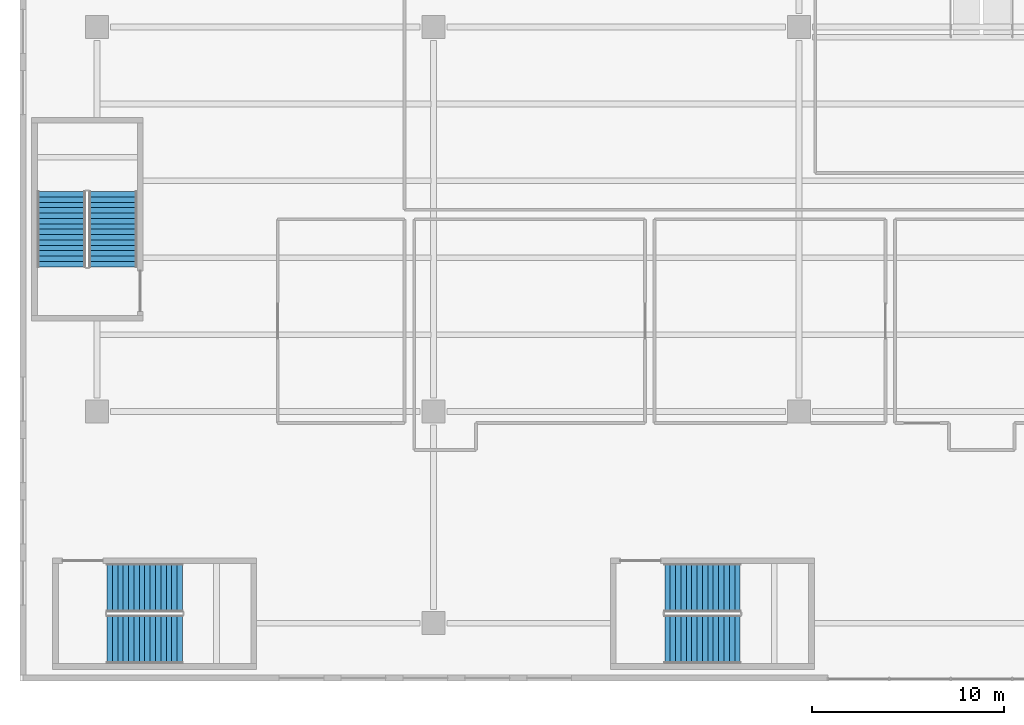
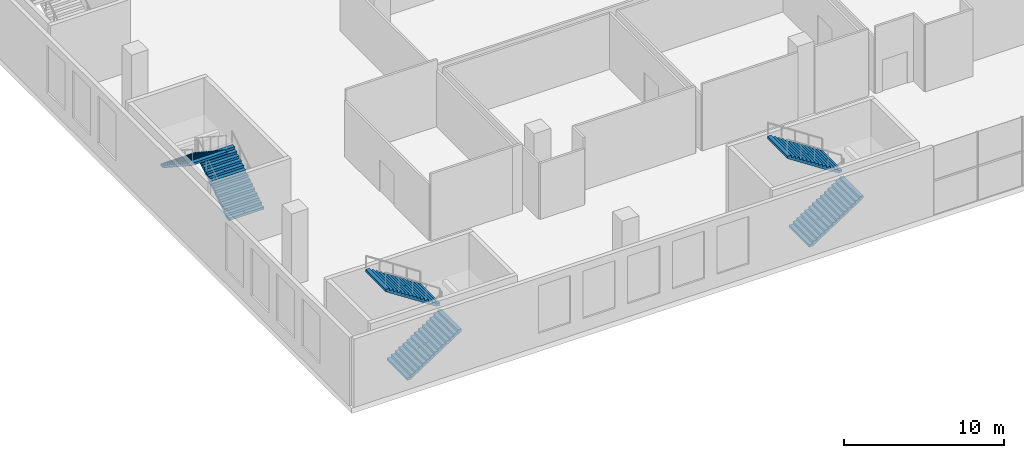
# One storey, part 13 of 26: 6 stair flights, 3 elements without a shape of their own.
"""IFC4 building model written with IfcOpenShell, lengths in metres."""

from ifc_helpers import new_model, si_unit, direction, frame, origin, place, context, subcontext, project, spatial, polyline, outline, extrude, material, type_object, element, aggregate, save


model = new_model("IFC4")

# Units and contexts
model_context = context("Model", 3, precision=1e-05, world=origin(), true_north=direction((0.0, 1.0)))
body_context = subcontext(model_context, "Body", "Model", "MODEL_VIEW")
ifc_project = project(units=[si_unit("LENGTHUNIT", "METRE"), si_unit("AREAUNIT", "SQUARE_METRE"), si_unit("VOLUMEUNIT", "CUBIC_METRE"), si_unit("PLANEANGLEUNIT", "RADIAN"), si_unit("MASSUNIT", "GRAM", prefix="KILO")], contexts=[model_context])

# Site, building, storey
site_placement = place(None, origin())
site = spatial("IfcSite", under=ifc_project, at=site_placement, CompositionType="ELEMENT")
building_placement = place(site_placement, origin())
building = spatial("IfcBuilding", under=site, at=building_placement, Name="Tel Ilan Convention Tower", CompositionType="ELEMENT")
storey_placement = place(building_placement, frame((0.0, 0.0, 32.0)))
storey = spatial("IfcBuildingStorey", under=building, at=storey_placement, Name="L04", CompositionType="ELEMENT", Elevation=32.0)

# Stair, stair flights
ifc_material_1 = material(Name="Concrete C40/50", Category="concrete")
stair_type = type_object("IfcStairType", Name="Pressurised Exit Stair 30 risers 183 mm", PredefinedType="HALF_TURN_STAIR", material=ifc_material_1)
stair_1_placement = place(storey_placement, origin())
stair_1 = element("IfcStair", 1, at=stair_1_placement, inside=storey, type_object=stair_type, Name="L04 Podium Exit Stair P1", PredefinedType="HALF_TURN_STAIR")
ifc_material_2 = material(Name="Precast Concrete C40/50", Category="concrete")
stair_flight_type = type_object("IfcStairFlightType", Name="Concrete Stair Flight 2525 mm 30 risers 183 mm", PredefinedType="STRAIGHT", material=ifc_material_2)
stair_flight_1_placement = place(storey_placement, frame((-45.47509765625, -79.83740234375, 0.0), z_axis=(0.0, 0.0, 1.0), x_axis=(1.0, 0.0, 0.0)))
stair_flight_1 = element("IfcStairFlight", 2, at=stair_flight_1_placement, type_object=stair_flight_type, Name="P1 flight 1", NumberOfRisers=15, NumberOfTreads=14, PredefinedType="STRAIGHT", RiserHeight=0.183333333, TreadLength=0.28, context=body_context, shape_type="SweptSolid", body=[
    extrude(outline(polyline([(0.0, 0.0), (0.0, 0.183349609375), (0.280029296875, 0.183349609375), (0.280029296875, 0.36669921875), (0.56005859375, 0.36669921875), (0.56005859375, 0.550048828125), (0.840087890625, 0.550048828125), (0.840087890625, 0.7333984375), (1.1201171875, 0.7333984375), (1.1201171875, 0.916748046875), (1.39990234375, 0.916748046875), (1.39990234375, 1.10009765625), (1.679931640625, 1.10009765625), (1.679931640625, 1.283447265625), (1.9599609375, 1.283447265625), (1.9599609375, 1.466552734375), (2.239990234375, 1.466552734375), (2.239990234375, 1.64990234375), (2.52001953125, 1.64990234375), (2.52001953125, 1.833251953125), (2.800048828125, 1.833251953125), (2.800048828125, 2.0166015625), (3.080078125, 2.0166015625), (3.080078125, 2.199951171875), (3.360107421875, 2.199951171875), (3.360107421875, 2.38330078125), (3.639892578125, 2.38330078125), (3.639892578125, 2.566650390625), (3.919921875, 2.566650390625), (3.919921875, 2.75), (3.919921875, 2.387451171875), (0.273681640625, 0.0), (0.0, 0.0)])), frame((0.0, -0.100341796875, 0.0), z_axis=(0.0, -1.0, 0.0), x_axis=(1.0, 0.0, 0.0)), (0.0, 0.0, 1.0), 1.162109375),
    extrude(outline(polyline([(0.0, 0.0), (0.0, 0.183349609375), (0.280029296875, 0.183349609375), (0.280029296875, 0.36669921875), (0.56005859375, 0.36669921875), (0.56005859375, 0.550048828125), (0.840087890625, 0.550048828125), (0.840087890625, 0.7333984375), (1.1201171875, 0.7333984375), (1.1201171875, 0.916748046875), (1.39990234375, 0.916748046875), (1.39990234375, 1.10009765625), (1.679931640625, 1.10009765625), (1.679931640625, 1.283447265625), (1.9599609375, 1.283447265625), (1.9599609375, 1.466552734375), (2.239990234375, 1.466552734375), (2.239990234375, 1.64990234375), (2.52001953125, 1.64990234375), (2.52001953125, 1.833251953125), (2.800048828125, 1.833251953125), (2.800048828125, 2.0166015625), (3.080078125, 2.0166015625), (3.080078125, 2.199951171875), (3.360107421875, 2.199951171875), (3.360107421875, 2.38330078125), (3.639892578125, 2.38330078125), (3.639892578125, 2.566650390625), (3.919921875, 2.566650390625), (3.919921875, 2.75), (3.919921875, 2.387451171875), (0.273681640625, 0.0), (0.0, 0.0)])), frame((0.0, -0.000244140625, 0.0), z_axis=(0.0, -1.0, 0.0), x_axis=(1.0, 0.0, 0.0)), (0.0, 0.0, 1.0), 0.099609375),
    extrude(outline(polyline([(0.0, 0.0), (0.0, 0.183349609375), (0.280029296875, 0.183349609375), (0.280029296875, 0.36669921875), (0.56005859375, 0.36669921875), (0.56005859375, 0.550048828125), (0.840087890625, 0.550048828125), (0.840087890625, 0.7333984375), (1.1201171875, 0.7333984375), (1.1201171875, 0.916748046875), (1.39990234375, 0.916748046875), (1.39990234375, 1.10009765625), (1.679931640625, 1.10009765625), (1.679931640625, 1.283447265625), (1.9599609375, 1.283447265625), (1.9599609375, 1.466552734375), (2.239990234375, 1.466552734375), (2.239990234375, 1.64990234375), (2.52001953125, 1.64990234375), (2.52001953125, 1.833251953125), (2.800048828125, 1.833251953125), (2.800048828125, 2.0166015625), (3.080078125, 2.0166015625), (3.080078125, 2.199951171875), (3.360107421875, 2.199951171875), (3.360107421875, 2.38330078125), (3.639892578125, 2.38330078125), (3.639892578125, 2.566650390625), (3.919921875, 2.566650390625), (3.919921875, 2.75), (3.919921875, 2.387451171875), (0.273681640625, 0.0), (0.0, 0.0)])), frame((0.0, 0.099853515625, 0.0), z_axis=(0.0, -1.0, 0.0), x_axis=(1.0, 0.0, 0.0)), (0.0, 0.0, 1.0), 0.099609375),
    extrude(outline(polyline([(0.0, 0.0), (0.0, 0.183349609375), (0.280029296875, 0.183349609375), (0.280029296875, 0.36669921875), (0.56005859375, 0.36669921875), (0.56005859375, 0.550048828125), (0.840087890625, 0.550048828125), (0.840087890625, 0.7333984375), (1.1201171875, 0.7333984375), (1.1201171875, 0.916748046875), (1.39990234375, 0.916748046875), (1.39990234375, 1.10009765625), (1.679931640625, 1.10009765625), (1.679931640625, 1.283447265625), (1.9599609375, 1.283447265625), (1.9599609375, 1.466552734375), (2.239990234375, 1.466552734375), (2.239990234375, 1.64990234375), (2.52001953125, 1.64990234375), (2.52001953125, 1.833251953125), (2.800048828125, 1.833251953125), (2.800048828125, 2.0166015625), (3.080078125, 2.0166015625), (3.080078125, 2.199951171875), (3.360107421875, 2.199951171875), (3.360107421875, 2.38330078125), (3.639892578125, 2.38330078125), (3.639892578125, 2.566650390625), (3.919921875, 2.566650390625), (3.919921875, 2.75), (3.919921875, 2.387451171875), (0.273681640625, 0.0), (0.0, 0.0)])), frame((0.0, 1.262451171875, 0.0), z_axis=(0.0, -1.0, 0.0), x_axis=(1.0, 0.0, 0.0)), (0.0, 0.0, 1.0), 1.162109375),
])
stair_flight_2_placement = place(storey_placement, frame((-41.554931640625, -77.16259765625, 2.75), z_axis=(0.0, 0.0, 1.0), x_axis=(-1.0, 0.0, 0.0)))
stair_flight_2 = element("IfcStairFlight", 3, at=stair_flight_2_placement, type_object=stair_flight_type, Name="P1 flight 2", NumberOfRisers=15, NumberOfTreads=14, PredefinedType="STRAIGHT", RiserHeight=0.183333333, TreadLength=0.28, context=body_context, shape_type="SweptSolid", body=[
    extrude(outline(polyline([(0.0, 0.0), (0.0, 0.183349609375), (0.280029296875, 0.183349609375), (0.280029296875, 0.36669921875), (0.56005859375, 0.36669921875), (0.56005859375, 0.550048828125), (0.840087890625, 0.550048828125), (0.840087890625, 0.7333984375), (1.1201171875, 0.7333984375), (1.1201171875, 0.916748046875), (1.39990234375, 0.916748046875), (1.39990234375, 1.10009765625), (1.679931640625, 1.10009765625), (1.679931640625, 1.283447265625), (1.9599609375, 1.283447265625), (1.9599609375, 1.466552734375), (2.239990234375, 1.466552734375), (2.239990234375, 1.64990234375), (2.52001953125, 1.64990234375), (2.52001953125, 1.833251953125), (2.800048828125, 1.833251953125), (2.800048828125, 2.0166015625), (3.080078125, 2.0166015625), (3.080078125, 2.199951171875), (3.360107421875, 2.199951171875), (3.360107421875, 2.38330078125), (3.639892578125, 2.38330078125), (3.639892578125, 2.566650390625), (3.919921875, 2.566650390625), (3.919921875, 2.75), (3.919921875, 2.387451171875), (0.273681640625, 0.0), (0.0, 0.0)])), frame((0.0, -0.100341796875, 0.0), z_axis=(0.0, -1.0, 0.0), x_axis=(1.0, 0.0, 0.0)), (0.0, 0.0, 1.0), 1.162109375),
    extrude(outline(polyline([(0.0, 0.0), (0.0, 0.183349609375), (0.280029296875, 0.183349609375), (0.280029296875, 0.36669921875), (0.56005859375, 0.36669921875), (0.56005859375, 0.550048828125), (0.840087890625, 0.550048828125), (0.840087890625, 0.7333984375), (1.1201171875, 0.7333984375), (1.1201171875, 0.916748046875), (1.39990234375, 0.916748046875), (1.39990234375, 1.10009765625), (1.679931640625, 1.10009765625), (1.679931640625, 1.283447265625), (1.9599609375, 1.283447265625), (1.9599609375, 1.466552734375), (2.239990234375, 1.466552734375), (2.239990234375, 1.64990234375), (2.52001953125, 1.64990234375), (2.52001953125, 1.833251953125), (2.800048828125, 1.833251953125), (2.800048828125, 2.0166015625), (3.080078125, 2.0166015625), (3.080078125, 2.199951171875), (3.360107421875, 2.199951171875), (3.360107421875, 2.38330078125), (3.639892578125, 2.38330078125), (3.639892578125, 2.566650390625), (3.919921875, 2.566650390625), (3.919921875, 2.75), (3.919921875, 2.387451171875), (0.273681640625, 0.0), (0.0, 0.0)])), frame((0.0, -0.000244140625, 0.0), z_axis=(0.0, -1.0, 0.0), x_axis=(1.0, 0.0, 0.0)), (0.0, 0.0, 1.0), 0.099609375),
    extrude(outline(polyline([(0.0, 0.0), (0.0, 0.183349609375), (0.280029296875, 0.183349609375), (0.280029296875, 0.36669921875), (0.56005859375, 0.36669921875), (0.56005859375, 0.550048828125), (0.840087890625, 0.550048828125), (0.840087890625, 0.7333984375), (1.1201171875, 0.7333984375), (1.1201171875, 0.916748046875), (1.39990234375, 0.916748046875), (1.39990234375, 1.10009765625), (1.679931640625, 1.10009765625), (1.679931640625, 1.283447265625), (1.9599609375, 1.283447265625), (1.9599609375, 1.466552734375), (2.239990234375, 1.466552734375), (2.239990234375, 1.64990234375), (2.52001953125, 1.64990234375), (2.52001953125, 1.833251953125), (2.800048828125, 1.833251953125), (2.800048828125, 2.0166015625), (3.080078125, 2.0166015625), (3.080078125, 2.199951171875), (3.360107421875, 2.199951171875), (3.360107421875, 2.38330078125), (3.639892578125, 2.38330078125), (3.639892578125, 2.566650390625), (3.919921875, 2.566650390625), (3.919921875, 2.75), (3.919921875, 2.387451171875), (0.273681640625, 0.0), (0.0, 0.0)])), frame((0.0, 0.099853515625, 0.0), z_axis=(0.0, -1.0, 0.0), x_axis=(1.0, 0.0, 0.0)), (0.0, 0.0, 1.0), 0.099609375),
    extrude(outline(polyline([(0.0, 0.0), (0.0, 0.183349609375), (0.280029296875, 0.183349609375), (0.280029296875, 0.36669921875), (0.56005859375, 0.36669921875), (0.56005859375, 0.550048828125), (0.840087890625, 0.550048828125), (0.840087890625, 0.7333984375), (1.1201171875, 0.7333984375), (1.1201171875, 0.916748046875), (1.39990234375, 0.916748046875), (1.39990234375, 1.10009765625), (1.679931640625, 1.10009765625), (1.679931640625, 1.283447265625), (1.9599609375, 1.283447265625), (1.9599609375, 1.466552734375), (2.239990234375, 1.466552734375), (2.239990234375, 1.64990234375), (2.52001953125, 1.64990234375), (2.52001953125, 1.833251953125), (2.800048828125, 1.833251953125), (2.800048828125, 2.0166015625), (3.080078125, 2.0166015625), (3.080078125, 2.199951171875), (3.360107421875, 2.199951171875), (3.360107421875, 2.38330078125), (3.639892578125, 2.38330078125), (3.639892578125, 2.566650390625), (3.919921875, 2.566650390625), (3.919921875, 2.75), (3.919921875, 2.387451171875), (0.273681640625, 0.0), (0.0, 0.0)])), frame((0.0, 1.262451171875, 0.0), z_axis=(0.0, -1.0, 0.0), x_axis=(1.0, 0.0, 0.0)), (0.0, 0.0, 1.0), 1.162109375),
])
aggregate(stair_1, [stair_flight_1, stair_flight_2])

stair_2_placement = place(storey_placement, origin())
stair_2 = element("IfcStair", 4, at=stair_2_placement, inside=storey, type_object=stair_type, Name="L04 Podium Exit Stair P2", PredefinedType="HALF_TURN_STAIR")
stair_flight_3_placement = place(storey_placement, frame((-16.47509765625, -79.83740234375, 0.0), z_axis=(0.0, 0.0, 1.0), x_axis=(1.0, 0.0, 0.0)))
stair_flight_3 = element("IfcStairFlight", 5, at=stair_flight_3_placement, type_object=stair_flight_type, Name="P2 flight 1", NumberOfRisers=15, NumberOfTreads=14, PredefinedType="STRAIGHT", RiserHeight=0.183333333, TreadLength=0.28, context=body_context, shape_type="SweptSolid", body=[
    extrude(outline(polyline([(0.0, 0.0), (0.0, 0.183349609375), (0.280029296875, 0.183349609375), (0.280029296875, 0.36669921875), (0.56005859375, 0.36669921875), (0.56005859375, 0.550048828125), (0.840087890625, 0.550048828125), (0.840087890625, 0.7333984375), (1.1201171875, 0.7333984375), (1.1201171875, 0.916748046875), (1.39990234375, 0.916748046875), (1.39990234375, 1.10009765625), (1.679931640625, 1.10009765625), (1.679931640625, 1.283447265625), (1.9599609375, 1.283447265625), (1.9599609375, 1.466552734375), (2.239990234375, 1.466552734375), (2.239990234375, 1.64990234375), (2.52001953125, 1.64990234375), (2.52001953125, 1.833251953125), (2.800048828125, 1.833251953125), (2.800048828125, 2.0166015625), (3.080078125, 2.0166015625), (3.080078125, 2.199951171875), (3.360107421875, 2.199951171875), (3.360107421875, 2.38330078125), (3.639892578125, 2.38330078125), (3.639892578125, 2.566650390625), (3.919921875, 2.566650390625), (3.919921875, 2.75), (3.919921875, 2.387451171875), (0.273681640625, 0.0), (0.0, 0.0)])), frame((0.0, -0.100341796875, 0.0), z_axis=(0.0, -1.0, 0.0), x_axis=(1.0, 0.0, 0.0)), (0.0, 0.0, 1.0), 1.162109375),
    extrude(outline(polyline([(0.0, 0.0), (0.0, 0.183349609375), (0.280029296875, 0.183349609375), (0.280029296875, 0.36669921875), (0.56005859375, 0.36669921875), (0.56005859375, 0.550048828125), (0.840087890625, 0.550048828125), (0.840087890625, 0.7333984375), (1.1201171875, 0.7333984375), (1.1201171875, 0.916748046875), (1.39990234375, 0.916748046875), (1.39990234375, 1.10009765625), (1.679931640625, 1.10009765625), (1.679931640625, 1.283447265625), (1.9599609375, 1.283447265625), (1.9599609375, 1.466552734375), (2.239990234375, 1.466552734375), (2.239990234375, 1.64990234375), (2.52001953125, 1.64990234375), (2.52001953125, 1.833251953125), (2.800048828125, 1.833251953125), (2.800048828125, 2.0166015625), (3.080078125, 2.0166015625), (3.080078125, 2.199951171875), (3.360107421875, 2.199951171875), (3.360107421875, 2.38330078125), (3.639892578125, 2.38330078125), (3.639892578125, 2.566650390625), (3.919921875, 2.566650390625), (3.919921875, 2.75), (3.919921875, 2.387451171875), (0.273681640625, 0.0), (0.0, 0.0)])), frame((0.0, -0.000244140625, 0.0), z_axis=(0.0, -1.0, 0.0), x_axis=(1.0, 0.0, 0.0)), (0.0, 0.0, 1.0), 0.099609375),
    extrude(outline(polyline([(0.0, 0.0), (0.0, 0.183349609375), (0.280029296875, 0.183349609375), (0.280029296875, 0.36669921875), (0.56005859375, 0.36669921875), (0.56005859375, 0.550048828125), (0.840087890625, 0.550048828125), (0.840087890625, 0.7333984375), (1.1201171875, 0.7333984375), (1.1201171875, 0.916748046875), (1.39990234375, 0.916748046875), (1.39990234375, 1.10009765625), (1.679931640625, 1.10009765625), (1.679931640625, 1.283447265625), (1.9599609375, 1.283447265625), (1.9599609375, 1.466552734375), (2.239990234375, 1.466552734375), (2.239990234375, 1.64990234375), (2.52001953125, 1.64990234375), (2.52001953125, 1.833251953125), (2.800048828125, 1.833251953125), (2.800048828125, 2.0166015625), (3.080078125, 2.0166015625), (3.080078125, 2.199951171875), (3.360107421875, 2.199951171875), (3.360107421875, 2.38330078125), (3.639892578125, 2.38330078125), (3.639892578125, 2.566650390625), (3.919921875, 2.566650390625), (3.919921875, 2.75), (3.919921875, 2.387451171875), (0.273681640625, 0.0), (0.0, 0.0)])), frame((0.0, 0.099853515625, 0.0), z_axis=(0.0, -1.0, 0.0), x_axis=(1.0, 0.0, 0.0)), (0.0, 0.0, 1.0), 0.099609375),
    extrude(outline(polyline([(0.0, 0.0), (0.0, 0.183349609375), (0.280029296875, 0.183349609375), (0.280029296875, 0.36669921875), (0.56005859375, 0.36669921875), (0.56005859375, 0.550048828125), (0.840087890625, 0.550048828125), (0.840087890625, 0.7333984375), (1.1201171875, 0.7333984375), (1.1201171875, 0.916748046875), (1.39990234375, 0.916748046875), (1.39990234375, 1.10009765625), (1.679931640625, 1.10009765625), (1.679931640625, 1.283447265625), (1.9599609375, 1.283447265625), (1.9599609375, 1.466552734375), (2.239990234375, 1.466552734375), (2.239990234375, 1.64990234375), (2.52001953125, 1.64990234375), (2.52001953125, 1.833251953125), (2.800048828125, 1.833251953125), (2.800048828125, 2.0166015625), (3.080078125, 2.0166015625), (3.080078125, 2.199951171875), (3.360107421875, 2.199951171875), (3.360107421875, 2.38330078125), (3.639892578125, 2.38330078125), (3.639892578125, 2.566650390625), (3.919921875, 2.566650390625), (3.919921875, 2.75), (3.919921875, 2.387451171875), (0.273681640625, 0.0), (0.0, 0.0)])), frame((0.0, 1.262451171875, 0.0), z_axis=(0.0, -1.0, 0.0), x_axis=(1.0, 0.0, 0.0)), (0.0, 0.0, 1.0), 1.162109375),
])
stair_flight_4_placement = place(storey_placement, frame((-12.554931640625, -77.16259765625, 2.75), z_axis=(0.0, 0.0, 1.0), x_axis=(-1.0, 0.0, 0.0)))
stair_flight_4 = element("IfcStairFlight", 6, at=stair_flight_4_placement, type_object=stair_flight_type, Name="P2 flight 2", NumberOfRisers=15, NumberOfTreads=14, PredefinedType="STRAIGHT", RiserHeight=0.183333333, TreadLength=0.28, context=body_context, shape_type="SweptSolid", body=[
    extrude(outline(polyline([(0.0, 0.0), (0.0, 0.183349609375), (0.280029296875, 0.183349609375), (0.280029296875, 0.36669921875), (0.56005859375, 0.36669921875), (0.56005859375, 0.550048828125), (0.840087890625, 0.550048828125), (0.840087890625, 0.7333984375), (1.1201171875, 0.7333984375), (1.1201171875, 0.916748046875), (1.39990234375, 0.916748046875), (1.39990234375, 1.10009765625), (1.679931640625, 1.10009765625), (1.679931640625, 1.283447265625), (1.9599609375, 1.283447265625), (1.9599609375, 1.466552734375), (2.239990234375, 1.466552734375), (2.239990234375, 1.64990234375), (2.52001953125, 1.64990234375), (2.52001953125, 1.833251953125), (2.800048828125, 1.833251953125), (2.800048828125, 2.0166015625), (3.080078125, 2.0166015625), (3.080078125, 2.199951171875), (3.360107421875, 2.199951171875), (3.360107421875, 2.38330078125), (3.639892578125, 2.38330078125), (3.639892578125, 2.566650390625), (3.919921875, 2.566650390625), (3.919921875, 2.75), (3.919921875, 2.387451171875), (0.273681640625, 0.0), (0.0, 0.0)])), frame((0.0, -0.100341796875, 0.0), z_axis=(0.0, -1.0, 0.0), x_axis=(1.0, 0.0, 0.0)), (0.0, 0.0, 1.0), 1.162109375),
    extrude(outline(polyline([(0.0, 0.0), (0.0, 0.183349609375), (0.280029296875, 0.183349609375), (0.280029296875, 0.36669921875), (0.56005859375, 0.36669921875), (0.56005859375, 0.550048828125), (0.840087890625, 0.550048828125), (0.840087890625, 0.7333984375), (1.1201171875, 0.7333984375), (1.1201171875, 0.916748046875), (1.39990234375, 0.916748046875), (1.39990234375, 1.10009765625), (1.679931640625, 1.10009765625), (1.679931640625, 1.283447265625), (1.9599609375, 1.283447265625), (1.9599609375, 1.466552734375), (2.239990234375, 1.466552734375), (2.239990234375, 1.64990234375), (2.52001953125, 1.64990234375), (2.52001953125, 1.833251953125), (2.800048828125, 1.833251953125), (2.800048828125, 2.0166015625), (3.080078125, 2.0166015625), (3.080078125, 2.199951171875), (3.360107421875, 2.199951171875), (3.360107421875, 2.38330078125), (3.639892578125, 2.38330078125), (3.639892578125, 2.566650390625), (3.919921875, 2.566650390625), (3.919921875, 2.75), (3.919921875, 2.387451171875), (0.273681640625, 0.0), (0.0, 0.0)])), frame((0.0, -0.000244140625, 0.0), z_axis=(0.0, -1.0, 0.0), x_axis=(1.0, 0.0, 0.0)), (0.0, 0.0, 1.0), 0.099609375),
    extrude(outline(polyline([(0.0, 0.0), (0.0, 0.183349609375), (0.280029296875, 0.183349609375), (0.280029296875, 0.36669921875), (0.56005859375, 0.36669921875), (0.56005859375, 0.550048828125), (0.840087890625, 0.550048828125), (0.840087890625, 0.7333984375), (1.1201171875, 0.7333984375), (1.1201171875, 0.916748046875), (1.39990234375, 0.916748046875), (1.39990234375, 1.10009765625), (1.679931640625, 1.10009765625), (1.679931640625, 1.283447265625), (1.9599609375, 1.283447265625), (1.9599609375, 1.466552734375), (2.239990234375, 1.466552734375), (2.239990234375, 1.64990234375), (2.52001953125, 1.64990234375), (2.52001953125, 1.833251953125), (2.800048828125, 1.833251953125), (2.800048828125, 2.0166015625), (3.080078125, 2.0166015625), (3.080078125, 2.199951171875), (3.360107421875, 2.199951171875), (3.360107421875, 2.38330078125), (3.639892578125, 2.38330078125), (3.639892578125, 2.566650390625), (3.919921875, 2.566650390625), (3.919921875, 2.75), (3.919921875, 2.387451171875), (0.273681640625, 0.0), (0.0, 0.0)])), frame((0.0, 0.099853515625, 0.0), z_axis=(0.0, -1.0, 0.0), x_axis=(1.0, 0.0, 0.0)), (0.0, 0.0, 1.0), 0.099609375),
    extrude(outline(polyline([(0.0, 0.0), (0.0, 0.183349609375), (0.280029296875, 0.183349609375), (0.280029296875, 0.36669921875), (0.56005859375, 0.36669921875), (0.56005859375, 0.550048828125), (0.840087890625, 0.550048828125), (0.840087890625, 0.7333984375), (1.1201171875, 0.7333984375), (1.1201171875, 0.916748046875), (1.39990234375, 0.916748046875), (1.39990234375, 1.10009765625), (1.679931640625, 1.10009765625), (1.679931640625, 1.283447265625), (1.9599609375, 1.283447265625), (1.9599609375, 1.466552734375), (2.239990234375, 1.466552734375), (2.239990234375, 1.64990234375), (2.52001953125, 1.64990234375), (2.52001953125, 1.833251953125), (2.800048828125, 1.833251953125), (2.800048828125, 2.0166015625), (3.080078125, 2.0166015625), (3.080078125, 2.199951171875), (3.360107421875, 2.199951171875), (3.360107421875, 2.38330078125), (3.639892578125, 2.38330078125), (3.639892578125, 2.566650390625), (3.919921875, 2.566650390625), (3.919921875, 2.75), (3.919921875, 2.387451171875), (0.273681640625, 0.0), (0.0, 0.0)])), frame((0.0, 1.262451171875, 0.0), z_axis=(0.0, -1.0, 0.0), x_axis=(1.0, 0.0, 0.0)), (0.0, 0.0, 1.0), 1.162109375),
])
aggregate(stair_2, [stair_flight_3, stair_flight_4])

stair_3_placement = place(storey_placement, origin())
stair_3 = element("IfcStair", 7, at=stair_3_placement, inside=storey, type_object=stair_type, Name="L04 Podium Exit Stair P5", PredefinedType="HALF_TURN_STAIR")
stair_flight_5_placement = place(storey_placement, frame((-45.16259765625, -60.47509765625, 0.0), z_axis=(0.0, 0.0, 1.0), x_axis=(0.0, 1.0, 0.0)))
stair_flight_5 = element("IfcStairFlight", 8, at=stair_flight_5_placement, type_object=stair_flight_type, Name="P5 flight 1", NumberOfRisers=15, NumberOfTreads=14, PredefinedType="STRAIGHT", RiserHeight=0.183333333, TreadLength=0.28, context=body_context, shape_type="SweptSolid", body=[
    extrude(outline(polyline([(0.0, 0.0), (0.0, 0.183349609375), (0.280029296875, 0.183349609375), (0.280029296875, 0.36669921875), (0.56005859375, 0.36669921875), (0.56005859375, 0.550048828125), (0.840087890625, 0.550048828125), (0.840087890625, 0.7333984375), (1.1201171875, 0.7333984375), (1.1201171875, 0.916748046875), (1.39990234375, 0.916748046875), (1.39990234375, 1.10009765625), (1.679931640625, 1.10009765625), (1.679931640625, 1.283447265625), (1.9599609375, 1.283447265625), (1.9599609375, 1.466552734375), (2.239990234375, 1.466552734375), (2.239990234375, 1.64990234375), (2.52001953125, 1.64990234375), (2.52001953125, 1.833251953125), (2.800048828125, 1.833251953125), (2.800048828125, 2.0166015625), (3.080078125, 2.0166015625), (3.080078125, 2.199951171875), (3.360107421875, 2.199951171875), (3.360107421875, 2.38330078125), (3.639892578125, 2.38330078125), (3.639892578125, 2.566650390625), (3.919921875, 2.566650390625), (3.919921875, 2.75), (3.919921875, 2.387451171875), (0.273681640625, 0.0), (0.0, 0.0)])), frame((0.0, -0.100341796875, 0.0), z_axis=(0.0, -1.0, 0.0), x_axis=(1.0, 0.0, 0.0)), (0.0, 0.0, 1.0), 1.162109375),
    extrude(outline(polyline([(0.0, 0.0), (0.0, 0.183349609375), (0.280029296875, 0.183349609375), (0.280029296875, 0.36669921875), (0.56005859375, 0.36669921875), (0.56005859375, 0.550048828125), (0.840087890625, 0.550048828125), (0.840087890625, 0.7333984375), (1.1201171875, 0.7333984375), (1.1201171875, 0.916748046875), (1.39990234375, 0.916748046875), (1.39990234375, 1.10009765625), (1.679931640625, 1.10009765625), (1.679931640625, 1.283447265625), (1.9599609375, 1.283447265625), (1.9599609375, 1.466552734375), (2.239990234375, 1.466552734375), (2.239990234375, 1.64990234375), (2.52001953125, 1.64990234375), (2.52001953125, 1.833251953125), (2.800048828125, 1.833251953125), (2.800048828125, 2.0166015625), (3.080078125, 2.0166015625), (3.080078125, 2.199951171875), (3.360107421875, 2.199951171875), (3.360107421875, 2.38330078125), (3.639892578125, 2.38330078125), (3.639892578125, 2.566650390625), (3.919921875, 2.566650390625), (3.919921875, 2.75), (3.919921875, 2.387451171875), (0.273681640625, 0.0), (0.0, 0.0)])), frame((0.0, -0.000244140625, 0.0), z_axis=(0.0, -1.0, 0.0), x_axis=(1.0, 0.0, 0.0)), (0.0, 0.0, 1.0), 0.099609375),
    extrude(outline(polyline([(0.0, 0.0), (0.0, 0.183349609375), (0.280029296875, 0.183349609375), (0.280029296875, 0.36669921875), (0.56005859375, 0.36669921875), (0.56005859375, 0.550048828125), (0.840087890625, 0.550048828125), (0.840087890625, 0.7333984375), (1.1201171875, 0.7333984375), (1.1201171875, 0.916748046875), (1.39990234375, 0.916748046875), (1.39990234375, 1.10009765625), (1.679931640625, 1.10009765625), (1.679931640625, 1.283447265625), (1.9599609375, 1.283447265625), (1.9599609375, 1.466552734375), (2.239990234375, 1.466552734375), (2.239990234375, 1.64990234375), (2.52001953125, 1.64990234375), (2.52001953125, 1.833251953125), (2.800048828125, 1.833251953125), (2.800048828125, 2.0166015625), (3.080078125, 2.0166015625), (3.080078125, 2.199951171875), (3.360107421875, 2.199951171875), (3.360107421875, 2.38330078125), (3.639892578125, 2.38330078125), (3.639892578125, 2.566650390625), (3.919921875, 2.566650390625), (3.919921875, 2.75), (3.919921875, 2.387451171875), (0.273681640625, 0.0), (0.0, 0.0)])), frame((0.0, 0.099853515625, 0.0), z_axis=(0.0, -1.0, 0.0), x_axis=(1.0, 0.0, 0.0)), (0.0, 0.0, 1.0), 0.099609375),
    extrude(outline(polyline([(0.0, 0.0), (0.0, 0.183349609375), (0.280029296875, 0.183349609375), (0.280029296875, 0.36669921875), (0.56005859375, 0.36669921875), (0.56005859375, 0.550048828125), (0.840087890625, 0.550048828125), (0.840087890625, 0.7333984375), (1.1201171875, 0.7333984375), (1.1201171875, 0.916748046875), (1.39990234375, 0.916748046875), (1.39990234375, 1.10009765625), (1.679931640625, 1.10009765625), (1.679931640625, 1.283447265625), (1.9599609375, 1.283447265625), (1.9599609375, 1.466552734375), (2.239990234375, 1.466552734375), (2.239990234375, 1.64990234375), (2.52001953125, 1.64990234375), (2.52001953125, 1.833251953125), (2.800048828125, 1.833251953125), (2.800048828125, 2.0166015625), (3.080078125, 2.0166015625), (3.080078125, 2.199951171875), (3.360107421875, 2.199951171875), (3.360107421875, 2.38330078125), (3.639892578125, 2.38330078125), (3.639892578125, 2.566650390625), (3.919921875, 2.566650390625), (3.919921875, 2.75), (3.919921875, 2.387451171875), (0.273681640625, 0.0), (0.0, 0.0)])), frame((0.0, 1.262451171875, 0.0), z_axis=(0.0, -1.0, 0.0), x_axis=(1.0, 0.0, 0.0)), (0.0, 0.0, 1.0), 1.162109375),
])
stair_flight_6_placement = place(storey_placement, frame((-47.83740234375, -56.554931640625, 2.75), z_axis=(0.0, 0.0, 1.0), x_axis=(0.0, -1.0, 0.0)))
stair_flight_6 = element("IfcStairFlight", 9, at=stair_flight_6_placement, type_object=stair_flight_type, Name="P5 flight 2", NumberOfRisers=15, NumberOfTreads=14, PredefinedType="STRAIGHT", RiserHeight=0.183333333, TreadLength=0.28, context=body_context, shape_type="SweptSolid", body=[
    extrude(outline(polyline([(0.0, 0.0), (0.0, 0.183349609375), (0.280029296875, 0.183349609375), (0.280029296875, 0.36669921875), (0.56005859375, 0.36669921875), (0.56005859375, 0.550048828125), (0.840087890625, 0.550048828125), (0.840087890625, 0.7333984375), (1.1201171875, 0.7333984375), (1.1201171875, 0.916748046875), (1.39990234375, 0.916748046875), (1.39990234375, 1.10009765625), (1.679931640625, 1.10009765625), (1.679931640625, 1.283447265625), (1.9599609375, 1.283447265625), (1.9599609375, 1.466552734375), (2.239990234375, 1.466552734375), (2.239990234375, 1.64990234375), (2.52001953125, 1.64990234375), (2.52001953125, 1.833251953125), (2.800048828125, 1.833251953125), (2.800048828125, 2.0166015625), (3.080078125, 2.0166015625), (3.080078125, 2.199951171875), (3.360107421875, 2.199951171875), (3.360107421875, 2.38330078125), (3.639892578125, 2.38330078125), (3.639892578125, 2.566650390625), (3.919921875, 2.566650390625), (3.919921875, 2.75), (3.919921875, 2.387451171875), (0.273681640625, 0.0), (0.0, 0.0)])), frame((0.0, -0.100341796875, 0.0), z_axis=(0.0, -1.0, 0.0), x_axis=(1.0, 0.0, 0.0)), (0.0, 0.0, 1.0), 1.162109375),
    extrude(outline(polyline([(0.0, 0.0), (0.0, 0.183349609375), (0.280029296875, 0.183349609375), (0.280029296875, 0.36669921875), (0.56005859375, 0.36669921875), (0.56005859375, 0.550048828125), (0.840087890625, 0.550048828125), (0.840087890625, 0.7333984375), (1.1201171875, 0.7333984375), (1.1201171875, 0.916748046875), (1.39990234375, 0.916748046875), (1.39990234375, 1.10009765625), (1.679931640625, 1.10009765625), (1.679931640625, 1.283447265625), (1.9599609375, 1.283447265625), (1.9599609375, 1.466552734375), (2.239990234375, 1.466552734375), (2.239990234375, 1.64990234375), (2.52001953125, 1.64990234375), (2.52001953125, 1.833251953125), (2.800048828125, 1.833251953125), (2.800048828125, 2.0166015625), (3.080078125, 2.0166015625), (3.080078125, 2.199951171875), (3.360107421875, 2.199951171875), (3.360107421875, 2.38330078125), (3.639892578125, 2.38330078125), (3.639892578125, 2.566650390625), (3.919921875, 2.566650390625), (3.919921875, 2.75), (3.919921875, 2.387451171875), (0.273681640625, 0.0), (0.0, 0.0)])), frame((0.0, -0.000244140625, 0.0), z_axis=(0.0, -1.0, 0.0), x_axis=(1.0, 0.0, 0.0)), (0.0, 0.0, 1.0), 0.099609375),
    extrude(outline(polyline([(0.0, 0.0), (0.0, 0.183349609375), (0.280029296875, 0.183349609375), (0.280029296875, 0.36669921875), (0.56005859375, 0.36669921875), (0.56005859375, 0.550048828125), (0.840087890625, 0.550048828125), (0.840087890625, 0.7333984375), (1.1201171875, 0.7333984375), (1.1201171875, 0.916748046875), (1.39990234375, 0.916748046875), (1.39990234375, 1.10009765625), (1.679931640625, 1.10009765625), (1.679931640625, 1.283447265625), (1.9599609375, 1.283447265625), (1.9599609375, 1.466552734375), (2.239990234375, 1.466552734375), (2.239990234375, 1.64990234375), (2.52001953125, 1.64990234375), (2.52001953125, 1.833251953125), (2.800048828125, 1.833251953125), (2.800048828125, 2.0166015625), (3.080078125, 2.0166015625), (3.080078125, 2.199951171875), (3.360107421875, 2.199951171875), (3.360107421875, 2.38330078125), (3.639892578125, 2.38330078125), (3.639892578125, 2.566650390625), (3.919921875, 2.566650390625), (3.919921875, 2.75), (3.919921875, 2.387451171875), (0.273681640625, 0.0), (0.0, 0.0)])), frame((0.0, 0.099853515625, 0.0), z_axis=(0.0, -1.0, 0.0), x_axis=(1.0, 0.0, 0.0)), (0.0, 0.0, 1.0), 0.099609375),
    extrude(outline(polyline([(0.0, 0.0), (0.0, 0.183349609375), (0.280029296875, 0.183349609375), (0.280029296875, 0.36669921875), (0.56005859375, 0.36669921875), (0.56005859375, 0.550048828125), (0.840087890625, 0.550048828125), (0.840087890625, 0.7333984375), (1.1201171875, 0.7333984375), (1.1201171875, 0.916748046875), (1.39990234375, 0.916748046875), (1.39990234375, 1.10009765625), (1.679931640625, 1.10009765625), (1.679931640625, 1.283447265625), (1.9599609375, 1.283447265625), (1.9599609375, 1.466552734375), (2.239990234375, 1.466552734375), (2.239990234375, 1.64990234375), (2.52001953125, 1.64990234375), (2.52001953125, 1.833251953125), (2.800048828125, 1.833251953125), (2.800048828125, 2.0166015625), (3.080078125, 2.0166015625), (3.080078125, 2.199951171875), (3.360107421875, 2.199951171875), (3.360107421875, 2.38330078125), (3.639892578125, 2.38330078125), (3.639892578125, 2.566650390625), (3.919921875, 2.566650390625), (3.919921875, 2.75), (3.919921875, 2.387451171875), (0.273681640625, 0.0), (0.0, 0.0)])), frame((0.0, 1.262451171875, 0.0), z_axis=(0.0, -1.0, 0.0), x_axis=(1.0, 0.0, 0.0)), (0.0, 0.0, 1.0), 1.162109375),
])
aggregate(stair_3, [stair_flight_5, stair_flight_6])

save(model, "model.ifc")
